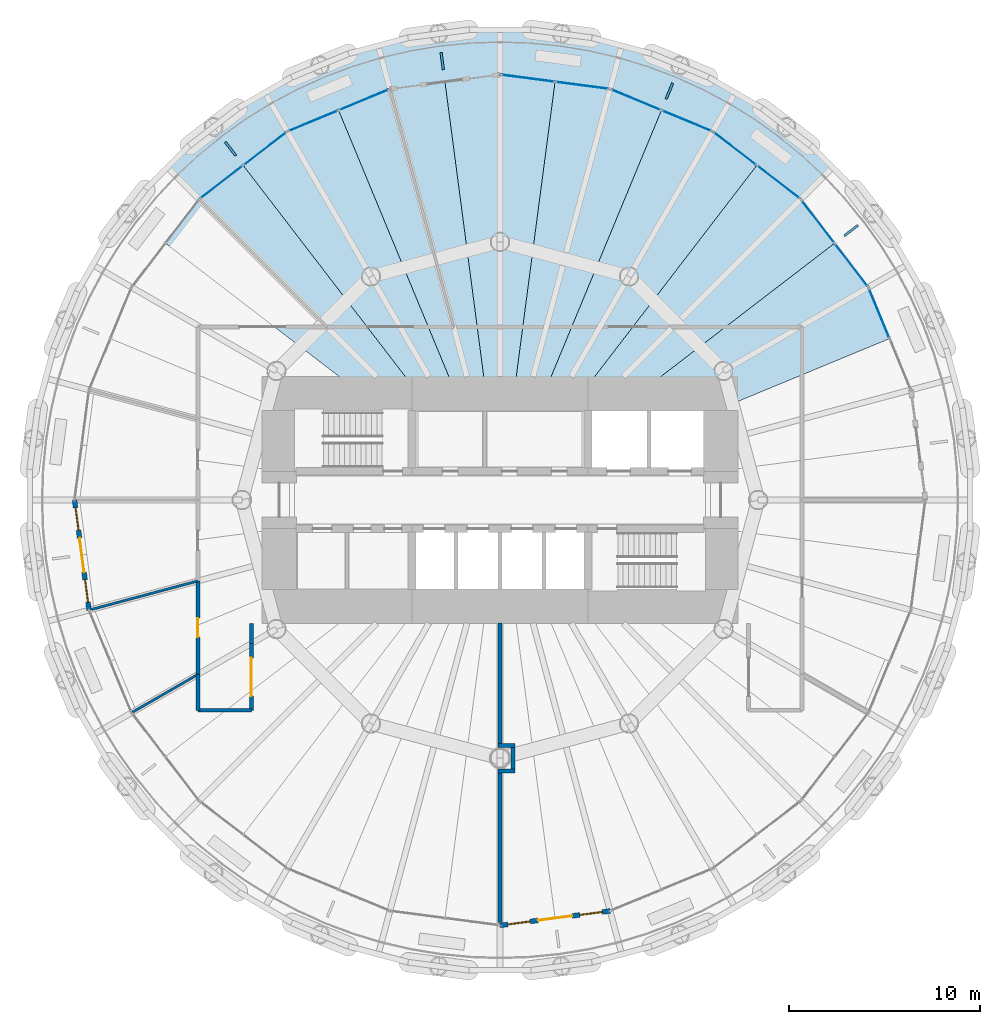
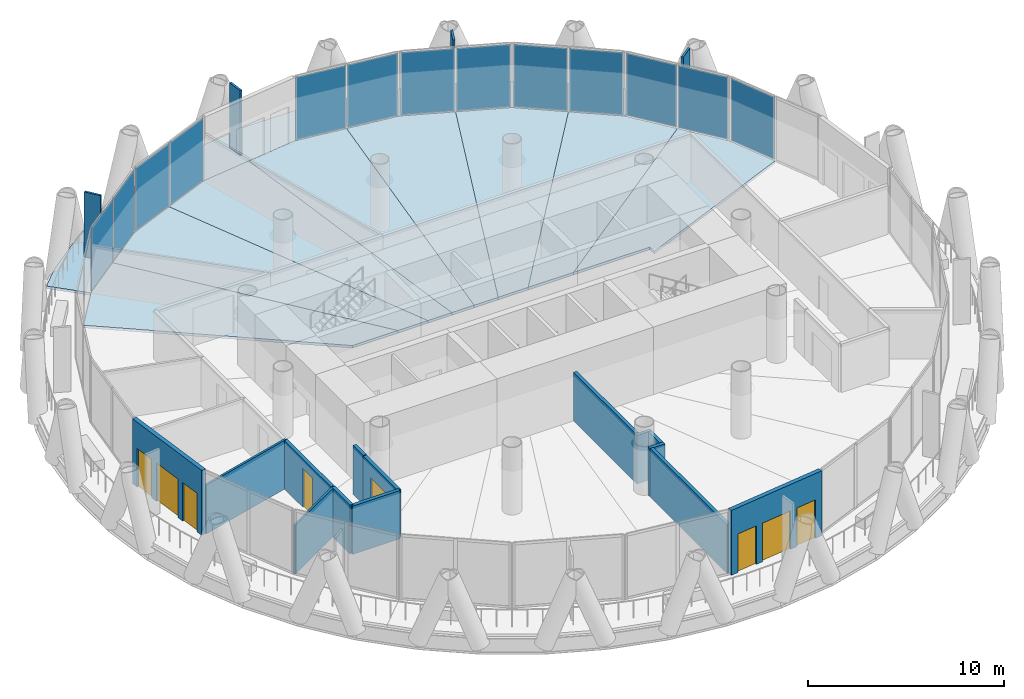
# One storey, part 9 of 15: 17 plates, 14 walls, 9 slabs, 4 doors, 4 windows, 8 openings, 7 elements without a shape of their own.
"""IFC4 building model written with IfcOpenShell, lengths in metres."""

import ifcopenshell
import ifcopenshell.guid

model = None  # the IFC model being written
_history = None  # IfcOwnerHistory: only IFC2X3 demands one
_inside = {}  # id of a spatial element -> (the spatial element, [elements in it])
_under = {}  # id of a project, library or spatial element -> (it, [spatial elements below it])
_declared = {}  # id of a project -> (the project, [libraries it declares])
_typed = {}  # id of a type object -> (the type object, [elements of that type])
_made_of = {}  # id of a material, layer set ... -> (it, [elements and type objects made of it])


def new_model(schema):
    """Start an empty IFC model of exactly this schema.

    Asked for "IFC4X3", IfcOpenShell would pick the latest addendum, in which some entities
    have other attributes; the version numbers below select the first issue.
    IFC2X3 requires an IfcOwnerHistory on every rooted entity: one is made here for all.
    """
    global model, _history
    if schema == "IFC4X3":
        model = ifcopenshell.file(schema_version=(4, 3, 0, 0))
    else:
        model = ifcopenshell.file(schema=schema)
    _inside.clear()
    _under.clear()
    _declared.clear()
    _typed.clear()
    _made_of.clear()
    _history = None
    if model.schema == "IFC2X3":
        org = make("IfcOrganization", Name="unknown")
        user = make(
            "IfcPersonAndOrganization",
            ThePerson=make("IfcPerson", FamilyName="unknown"),
            TheOrganization=org,
        )
        app = make(
            "IfcApplication",
            ApplicationDeveloper=org,
            Version="unknown",
            ApplicationFullName="unknown",
            ApplicationIdentifier="unknown",
        )
        _history = make(
            "IfcOwnerHistory",
            OwningUser=user,
            OwningApplication=app,
            ChangeAction="ADDED",
            CreationDate=0,
        )
    return model


def make(cls, **values):
    """One entity of the class cls with the attributes given. An attribute that is None is left unset."""
    return model.create_entity(
        cls, **{name: value for name, value in values.items() if value is not None}
    )


def rooted(cls, **values):
    """An entity with a GlobalId (a new one), such as an element, a storey or a relation."""
    return make(cls, GlobalId=ifcopenshell.guid.new(), OwnerHistory=_history, **values)


def si_unit(unit_type, name, prefix=None):
    """IfcSIUnit, for example si_unit("LENGTHUNIT", "METRE", prefix="MILLI")."""
    return make("IfcSIUnit", UnitType=unit_type, Prefix=prefix, Name=name)


def assignment(units):
    """IfcUnitAssignment: the units of a project."""
    return None if units is None else make("IfcUnitAssignment", Units=units)


def point(xyz):
    """IfcCartesianPoint."""
    return None if xyz is None else make("IfcCartesianPoint", Coordinates=xyz)


def direction(xyz):
    """IfcDirection."""
    return None if xyz is None else make("IfcDirection", DirectionRatios=xyz)


def frame(location, z_axis=None, x_axis=None):
    """IfcAxis2Placement3D, a coordinate frame: its origin and axes. An axis left out is left unset."""
    return make(
        "IfcAxis2Placement3D",
        Location=point(location),
        Axis=direction(z_axis),
        RefDirection=direction(x_axis),
    )


def frame_2d(location, x_axis=None):
    """IfcAxis2Placement2D, a coordinate frame in the plane: its origin and x axis."""
    return make(
        "IfcAxis2Placement2D", Location=point(location), RefDirection=direction(x_axis)
    )


def origin():
    """The frame at (0, 0, 0) with its axes left unset."""
    return frame((0.0, 0.0, 0.0))


def origin_2d():
    """The frame at (0, 0) in the plane with its x axis left unset."""
    return frame_2d((0.0, 0.0))


def place(relative_to, where):
    """IfcLocalPlacement: puts the frame where relative to a parent placement (None: the world)."""
    return make(
        "IfcLocalPlacement", PlacementRelTo=relative_to, RelativePlacement=where
    )


def context(
    kind, dimensions, precision=None, world=None, true_north=None, identifier=None
):
    """IfcGeometricRepresentationContext, for example the 3D "Model" context."""
    return make(
        "IfcGeometricRepresentationContext",
        ContextIdentifier=identifier,
        ContextType=kind,
        CoordinateSpaceDimension=dimensions,
        Precision=precision,
        WorldCoordinateSystem=world,
        TrueNorth=true_north,
    )


def subcontext(parent, identifier, kind, view, scale=None):
    """IfcGeometricRepresentationSubContext, for example "Body" below "Model"."""
    return make(
        "IfcGeometricRepresentationSubContext",
        ContextIdentifier=identifier,
        ContextType=kind,
        ParentContext=parent,
        TargetScale=scale,
        TargetView=view,
    )


def project(units=None, contexts=None):
    """IfcProject with its units and contexts."""
    return rooted(
        "IfcProject",
        Name="project",
        RepresentationContexts=contexts,
        UnitsInContext=assignment(units),
    )


def spatial(cls, under=None, at=None, **own):
    """A site, building, storey or space (cls), placed at a placement, below another one or the project."""
    s = rooted(cls, ObjectPlacement=at, **own)
    if under is not None:
        _under.setdefault(under.id(), (under, []))[1].append(s)
    return s


def polyline(points):
    """IfcPolyline through the points."""
    return make("IfcPolyline", Points=[point(p) for p in points])


def profile(cls, at=None, kind="AREA", **sizes):
    """A parametric profile (cls). Its sizes go by their IFC names, for example OverallWidth=200.0."""
    return make(cls, ProfileType=kind, Position=at, **sizes)


def rectangle(**sizes):
    """IfcRectangleProfileDef."""
    return profile("IfcRectangleProfileDef", **sizes)


def outline(outer, holes=None, kind="AREA"):
    """IfcArbitraryClosedProfileDef: a profile drawn as a closed curve; with holes, ...WithVoids."""
    if holes is None:
        return make("IfcArbitraryClosedProfileDef", ProfileType=kind, OuterCurve=outer)
    return make(
        "IfcArbitraryProfileDefWithVoids",
        ProfileType=kind,
        OuterCurve=outer,
        InnerCurves=holes,
    )


def extrude(swept, where, along, depth):
    """IfcExtrudedAreaSolid: the profile swept, set in the frame where, extruded along a direction by depth."""
    return make(
        "IfcExtrudedAreaSolid",
        SweptArea=swept,
        Position=where,
        ExtrudedDirection=direction(along),
        Depth=depth,
    )


def shape(context_of_items, identifier, shape_type, items):
    """IfcShapeRepresentation: the items that make up one representation, for example the "Body"."""
    return make(
        "IfcShapeRepresentation",
        ContextOfItems=context_of_items,
        RepresentationIdentifier=identifier,
        RepresentationType=shape_type,
        Items=items,
    )


def material(Name=None, Category=None):
    """IfcMaterial."""
    return make("IfcMaterial", Name=Name, Category=Category)


def layer(
    of_material, thickness, ventilated=None, Name=None, Category=None, Priority=None
):
    """IfcMaterialLayer: one layer of a wall or slab, of a material (None: an air gap)."""
    return make(
        "IfcMaterialLayer",
        Material=of_material,
        LayerThickness=thickness,
        IsVentilated=ventilated,
        Name=Name,
        Category=Category,
        Priority=Priority,
    )


def layer_set(layers, Name=None):
    """IfcMaterialLayerSet."""
    return make("IfcMaterialLayerSet", MaterialLayers=layers, LayerSetName=Name)


def made_of(thing, what):
    """Note that an element or type object is made of a material, layer set ...; save() writes the relation."""
    if what is not None:
        _made_of.setdefault(what.id(), (what, []))[1].append(thing)
    return thing


def type_object(cls, material=None, **own):
    """A type object (cls), such as IfcWallType, which elements share."""
    return made_of(rooted(cls, **own), material)


def element(
    cls,
    number,
    at=None,
    inside=None,
    cuts=None,
    type_object=None,
    material=None,
    context=None,
    identifier="Body",
    shape_type=None,
    held_by="IfcProductDefinitionShape",
    body=None,
    shapes=None,
    **own,
):
    """One element of the class cls, such as IfcWall. Its Tag is "e" and its number.

    at: its placement. inside: the storey or other place that contains it. cuts: it is an
    opening in that element (IfcRelVoidsElement). A single representation is given by context,
    identifier, shape_type and body (its items); several are given by shapes. held_by: the class
    of the entity that holds the representations. save() writes the other relations.
    """
    e = rooted(cls, Tag="e%d" % number, ObjectPlacement=at, **own)
    if body is not None:
        shapes = [shape(context, identifier, shape_type, body)]
    if shapes is not None:
        e.Representation = make(held_by, Representations=shapes)
    if inside is not None:
        _inside.setdefault(inside.id(), (inside, []))[1].append(e)
    if cuts is not None:
        rooted(
            "IfcRelVoidsElement", RelatingBuildingElement=cuts, RelatedOpeningElement=e
        )
    if type_object is not None:
        _typed.setdefault(type_object.id(), (type_object, []))[1].append(e)
    return made_of(e, material)


def fill(opening, filler):
    """IfcRelFillsElement: the door or window that sits in an opening."""
    return rooted(
        "IfcRelFillsElement",
        RelatingOpeningElement=opening,
        RelatedBuildingElement=filler,
    )


def aggregate(whole, parts):
    """IfcRelAggregates: a whole, such as a stair, and the parts it consists of."""
    return rooted("IfcRelAggregates", RelatingObject=whole, RelatedObjects=parts)


def save(model, path):
    """Write the relations noted so far, then the file.

    IfcRelAggregates (storeys below a building ...), IfcRelContainedInSpatialStructure (elements
    in a storey), IfcRelDefinesByType, IfcRelAssociatesMaterial and IfcRelDeclares: one each for
    every whole, place, type object, material and project.
    """
    for whole, parts in _under.values():
        aggregate(whole, parts)
    for where, things in _inside.values():
        rooted(
            "IfcRelContainedInSpatialStructure",
            RelatedElements=things,
            RelatingStructure=where,
        )
    for kind, things in _typed.values():
        rooted("IfcRelDefinesByType", RelatedObjects=things, RelatingType=kind)
    for what, things in _made_of.values():
        rooted("IfcRelAssociatesMaterial", RelatedObjects=things, RelatingMaterial=what)
    for by, libraries in _declared.values():
        rooted("IfcRelDeclares", RelatingContext=by, RelatedDefinitions=libraries)
    model.write(path)


model = new_model("IFC4")

# Units and contexts
model_context = context("Model", 3, precision=1e-05, world=origin(), true_north=direction((0.0, 1.0)))
body_context = subcontext(model_context, "Body", "Model", "MODEL_VIEW")
ifc_project = project(units=[si_unit("LENGTHUNIT", "METRE"), si_unit("AREAUNIT", "SQUARE_METRE"), si_unit("VOLUMEUNIT", "CUBIC_METRE"), si_unit("PLANEANGLEUNIT", "RADIAN"), si_unit("MASSUNIT", "GRAM", prefix="KILO")], contexts=[model_context])

# Site, building, storey
site_placement = place(None, origin())
site = spatial("IfcSite", under=ifc_project, at=site_placement, CompositionType="ELEMENT")
building_placement = place(site_placement, origin())
building = spatial("IfcBuilding", under=site, at=building_placement, Name="Qaws Media Tower", CompositionType="ELEMENT")
storey_placement = place(building_placement, frame((0.0, 0.0, 164.60009765625)))
storey = spatial("IfcBuildingStorey", under=building, at=storey_placement, Name="L37", CompositionType="ELEMENT", Elevation=164.60009765625)

# Slabs
ifc_material_1 = material(Name="Concrete C35/45", Category="concrete")
ifc_layer_1 = layer(ifc_material_1, 0.159912109375)
ifc_layer_set_1 = layer_set([ifc_layer_1], Name="Composite balcony slab 160")
slab_type_1 = type_object("IfcSlabType", Name="Composite balcony slab 160", PredefinedType="FLOOR", material=ifc_layer_set_1)
slab_1_placement = place(storey_placement, frame((0.0, 0.0, -0.16015625)))
element("IfcSlab", 1, at=slab_1_placement, inside=storey, type_object=slab_type_1, Name="S2 balcony slab L37 R04 to R10, movement joints on R04 and R10", PredefinedType="FLOOR", context=body_context, shape_type="SweptSolid", body=[
    extrude(outline(polyline([(43.7470703125, 68.532958984375), (46.30517578125, 70.49560546875), (49.09765625, 72.10791015625), (52.076416015625, 73.341796875), (55.19091796875, 74.176513671875), (58.3876953125, 74.59716796875), (61.6123046875, 74.59716796875), (64.80908203125, 74.176513671875), (67.923583984375, 73.341796875), (70.90234375, 72.10791015625), (73.69482421875, 70.49560546875), (76.2529296875, 68.532958984375), (77.392822265625, 67.392822265625), (75.733154296875, 65.733154296875), (71.125, 69.26904296875), (65.7587890625, 71.49169921875), (60.0, 72.25), (54.2412109375, 71.49169921875), (48.875, 69.26904296875), (44.266845703125, 65.733154296875), (42.607177734375, 67.392822265625), (43.7470703125, 68.532958984375)])), origin(), (0.0, 0.0, 1.0), 0.16015625),
])
ifc_material_2 = material(Name="Concrete C35/45", Category="concrete")
ifc_layer_2 = layer(ifc_material_2, 0.159912109375)
ifc_layer_set_2 = layer_set([ifc_layer_2], Name="Composite floor slab 160")
slab_type_2 = type_object("IfcSlabType", Name="Composite floor slab 160", PredefinedType="FLOOR", material=ifc_layer_set_2)
slab_2_placement = place(storey_placement, frame((0.0, 0.0, -0.16015625)))
element("IfcSlab", 2, at=slab_2_placement, inside=storey, type_object=slab_type_2, Name="S1 floor panel L37 on R03", PredefinedType="FLOOR", context=body_context, shape_type="SweptSolid", body=[
    extrude(outline(polyline([(79.26904296875, 61.125), (80.380615234375, 58.44189453125), (71.0, 54.556396484375), (71.0, 55.0), (66.51611328125, 55.0), (77.501220703125, 63.42919921875), (79.26904296875, 61.125)])), origin(), (0.0, 0.0, 1.0), 0.16015625),
])
slab_3_placement = place(storey_placement, frame((0.0, 0.0, -0.16015625)))
element("IfcSlab", 3, at=slab_3_placement, inside=storey, type_object=slab_type_2, Name="S1 floor panel L37 on R04", PredefinedType="FLOOR", context=body_context, shape_type="SweptSolid", body=[
    extrude(outline(polyline([(75.733154296875, 65.733154296875), (77.501220703125, 63.42919921875), (66.51611328125, 55.0), (63.836669921875, 55.0), (73.42919921875, 67.501220703125), (75.733154296875, 65.733154296875)])), origin(), (0.0, 0.0, 1.0), 0.16015625),
])
slab_4_placement = place(storey_placement, frame((0.0, 0.0, -0.16015625)))
element("IfcSlab", 4, at=slab_4_placement, inside=storey, type_object=slab_type_2, Name="S1 floor panel L37 on R05", PredefinedType="FLOOR", context=body_context, shape_type="SweptSolid", body=[
    extrude(outline(polyline([(71.125, 69.26904296875), (73.42919921875, 67.501220703125), (63.836669921875, 55.0), (62.071044921875, 55.0), (68.44189453125, 70.380615234375), (71.125, 69.26904296875)])), origin(), (0.0, 0.0, 1.0), 0.16015625),
])
slab_5_placement = place(storey_placement, frame((0.0, 0.0, -0.16015625)))
element("IfcSlab", 5, at=slab_5_placement, inside=storey, type_object=slab_type_2, Name="S1 floor panel L37 on R06", PredefinedType="FLOOR", context=body_context, shape_type="SweptSolid", body=[
    extrude(outline(polyline([(65.7587890625, 71.49169921875), (68.44189453125, 70.380615234375), (62.071044921875, 55.0), (60.658203125, 55.0), (62.87939453125, 71.870849609375), (65.7587890625, 71.49169921875)])), origin(), (0.0, 0.0, 1.0), 0.16015625),
])
slab_6_placement = place(storey_placement, frame((0.0, 0.0, -0.16015625)))
element("IfcSlab", 6, at=slab_6_placement, inside=storey, type_object=slab_type_2, Name="S1 floor panel L37 on R07", PredefinedType="FLOOR", context=body_context, shape_type="SweptSolid", body=[
    extrude(outline(polyline([(60.0, 72.25), (62.87939453125, 71.870849609375), (60.658203125, 55.0), (59.341796875, 55.0), (57.12060546875, 71.870849609375), (60.0, 72.25)])), origin(), (0.0, 0.0, 1.0), 0.16015625),
])
slab_7_placement = place(storey_placement, frame((0.0, 0.0, -0.16015625)))
element("IfcSlab", 7, at=slab_7_placement, inside=storey, type_object=slab_type_2, Name="S1 floor panel L37 on R08", PredefinedType="FLOOR", context=body_context, shape_type="SweptSolid", body=[
    extrude(outline(polyline([(54.2412109375, 71.49169921875), (57.12060546875, 71.870849609375), (59.341796875, 55.0), (57.928955078125, 55.0), (51.55810546875, 70.380615234375), (54.2412109375, 71.49169921875)])), origin(), (0.0, 0.0, 1.0), 0.16015625),
])
slab_8_placement = place(storey_placement, frame((0.0, 0.0, -0.16015625)))
element("IfcSlab", 8, at=slab_8_placement, inside=storey, type_object=slab_type_2, Name="S1 floor panel L37 on R09", PredefinedType="FLOOR", context=body_context, shape_type="SweptSolid", body=[
    extrude(outline(polyline([(48.875, 69.26904296875), (51.55810546875, 70.380615234375), (57.928955078125, 55.0), (56.163330078125, 55.0), (46.57080078125, 67.501220703125), (48.875, 69.26904296875)])), origin(), (0.0, 0.0, 1.0), 0.16015625),
])
slab_9_placement = place(storey_placement, frame((0.0, 0.0, -0.16015625)))
element("IfcSlab", 9, at=slab_9_placement, inside=storey, type_object=slab_type_2, Name="S1 floor panel L37 on R10", PredefinedType="FLOOR", context=body_context, shape_type="SweptSolid", body=[
    extrude(outline(polyline([(44.266845703125, 65.733154296875), (46.57080078125, 67.501220703125), (56.163330078125, 55.0), (53.48388671875, 55.0), (42.498779296875, 63.42919921875), (44.266845703125, 65.733154296875)])), origin(), (0.0, 0.0, 1.0), 0.16015625),
])

# Curtain wall, plate
ifc_material_3 = material(Name="Aluminium and clear glass", Category="aluminium")
curtain_wall_type = type_object("IfcCurtainWallType", Name="Unitised curtain wall CW-B", PredefinedType="NOTDEFINED", material=ifc_material_3)
curtain_wall_1_placement = place(storey_placement, origin())
curtain_wall_1 = element("IfcCurtainWall", 10, at=curtain_wall_1_placement, inside=storey, type_object=curtain_wall_type, Name="CWB curtain wall L37-02", PredefinedType="NOTDEFINED")
ifc_material_4 = material(Name="Clear laminated double glazing", Category="glass")
ifc_layer_3 = layer(ifc_material_4, 0.031982421875)
ifc_layer_set_3 = layer_set([ifc_layer_3], Name="Curtain wall glass unit 32")
plate_type_1 = type_object("IfcPlateType", Name="Curtain wall glass unit 32", PredefinedType="CURTAIN_PANEL", material=ifc_layer_set_3)
plate_1_placement = place(storey_placement, frame((79.83251953125, 59.764892578125, 0.080078125), z_axis=(0.0, 0.0, 1.0), x_axis=(-0.382683535434, 0.923879489819, 0.0)))
plate_1 = element("IfcPlate", 11, at=plate_1_placement, type_object=plate_type_1, Name="CWB panel 2.1", PredefinedType="CURTAIN_PANEL", context=body_context, shape_type="SweptSolid", body=[
    extrude(rectangle(XDim=2.7841796875, YDim=0.031982421875, at=origin_2d()), origin(), (0.0, 0.0, 1.0), 3.8798828125),
])
aggregate(curtain_wall_1, [plate_1])

# Curtain wall, plates
curtain_wall_2_placement = place(storey_placement, origin())
curtain_wall_2 = element("IfcCurtainWall", 12, at=curtain_wall_2_placement, inside=storey, type_object=curtain_wall_type, Name="CWB curtain wall L37-03", PredefinedType="NOTDEFINED")
plate_2_placement = place(storey_placement, frame((78.372802734375, 62.29296875, 0.080078125), z_axis=(0.0, 0.0, 1.0), x_axis=(-0.608761380919, 0.793353377191, 0.0)))
plate_2 = element("IfcPlate", 13, at=plate_2_placement, type_object=plate_type_1, Name="CWB panel 1.1", PredefinedType="CURTAIN_PANEL", context=body_context, shape_type="SweptSolid", body=[
    extrude(rectangle(XDim=2.7841796875, YDim=0.031982421875, at=origin_2d()), origin(), (0.0, 0.0, 1.0), 3.8798828125),
])
plate_3_placement = place(storey_placement, frame((76.62939453125, 64.565185546875, 0.080078125), z_axis=(0.0, 0.0, 1.0), x_axis=(-0.608761380919, 0.793353377191, 0.0)))
plate_3 = element("IfcPlate", 14, at=plate_3_placement, type_object=plate_type_1, Name="CWB panel 2.1", PredefinedType="CURTAIN_PANEL", context=body_context, shape_type="SweptSolid", body=[
    extrude(rectangle(XDim=2.7841796875, YDim=0.031982421875, at=origin_2d()), origin(), (0.0, 0.0, 1.0), 3.8798828125),
])
aggregate(curtain_wall_2, [plate_2, plate_3])

curtain_wall_3_placement = place(storey_placement, origin())
curtain_wall_3 = element("IfcCurtainWall", 15, at=curtain_wall_3_placement, inside=storey, type_object=curtain_wall_type, Name="CWB curtain wall L37-04", PredefinedType="NOTDEFINED")
plate_4_placement = place(storey_placement, frame((74.565185546875, 66.62939453125, 0.080078125), z_axis=(0.0, 0.0, 1.0), x_axis=(-0.793353377191, 0.608761380919, 0.0)))
plate_4 = element("IfcPlate", 16, at=plate_4_placement, type_object=plate_type_1, Name="CWB panel 1.1", PredefinedType="CURTAIN_PANEL", context=body_context, shape_type="SweptSolid", body=[
    extrude(rectangle(XDim=2.7841796875, YDim=0.031982421875, at=origin_2d()), origin(), (0.0, 0.0, 1.0), 3.8798828125),
])
plate_5_placement = place(storey_placement, frame((72.29296875, 68.372802734375, 0.080078125), z_axis=(0.0, 0.0, 1.0), x_axis=(-0.793353377191, 0.608761380919, 0.0)))
plate_5 = element("IfcPlate", 17, at=plate_5_placement, type_object=plate_type_1, Name="CWB panel 2.1", PredefinedType="CURTAIN_PANEL", context=body_context, shape_type="SweptSolid", body=[
    extrude(rectangle(XDim=2.7841796875, YDim=0.031982421875, at=origin_2d()), origin(), (0.0, 0.0, 1.0), 3.8798828125),
])
aggregate(curtain_wall_3, [plate_4, plate_5])

curtain_wall_4_placement = place(storey_placement, origin())
curtain_wall_4 = element("IfcCurtainWall", 18, at=curtain_wall_4_placement, inside=storey, type_object=curtain_wall_type, Name="CWB curtain wall L37-05", PredefinedType="NOTDEFINED")
plate_6_placement = place(storey_placement, frame((69.764892578125, 69.83251953125, 0.080078125), z_axis=(0.0, 0.0, 1.0), x_axis=(-0.923879489819, 0.382683535434, 0.0)))
plate_6 = element("IfcPlate", 19, at=plate_6_placement, type_object=plate_type_1, Name="CWB panel 1.1", PredefinedType="CURTAIN_PANEL", context=body_context, shape_type="SweptSolid", body=[
    extrude(rectangle(XDim=2.7841796875, YDim=0.031982421875, at=origin_2d()), origin(), (0.0, 0.0, 1.0), 3.8798828125),
])
plate_7_placement = place(storey_placement, frame((67.11865234375, 70.928466796875, 0.080078125), z_axis=(0.0, 0.0, 1.0), x_axis=(-0.923879489819, 0.382683535434, 0.0)))
plate_7 = element("IfcPlate", 20, at=plate_7_placement, type_object=plate_type_1, Name="CWB panel 2.1", PredefinedType="CURTAIN_PANEL", context=body_context, shape_type="SweptSolid", body=[
    extrude(rectangle(XDim=2.7841796875, YDim=0.031982421875, at=origin_2d()), origin(), (0.0, 0.0, 1.0), 3.8798828125),
])
aggregate(curtain_wall_4, [plate_6, plate_7])

curtain_wall_5_placement = place(storey_placement, origin())
curtain_wall_5 = element("IfcCurtainWall", 21, at=curtain_wall_5_placement, inside=storey, type_object=curtain_wall_type, Name="CWB curtain wall L37-06", PredefinedType="NOTDEFINED")
plate_8_placement = place(storey_placement, frame((64.29931640625, 71.68408203125, 0.080078125), z_axis=(0.0, 0.0, 1.0), x_axis=(-0.991444870231, 0.130526124942, 0.0)))
plate_8 = element("IfcPlate", 22, at=plate_8_placement, type_object=plate_type_1, Name="CWB panel 1.1", PredefinedType="CURTAIN_PANEL", context=body_context, shape_type="SweptSolid", body=[
    extrude(rectangle(XDim=2.7841796875, YDim=0.031982421875, at=origin_2d()), origin(), (0.0, 0.0, 1.0), 3.8798828125),
])
plate_9_placement = place(storey_placement, frame((61.45947265625, 72.057861328125, 0.080078125), z_axis=(0.0, 0.0, 1.0), x_axis=(-0.991444870231, 0.130526124942, 0.0)))
plate_9 = element("IfcPlate", 23, at=plate_9_placement, type_object=plate_type_1, Name="CWB panel 2.1", PredefinedType="CURTAIN_PANEL", context=body_context, shape_type="SweptSolid", body=[
    extrude(rectangle(XDim=2.7841796875, YDim=0.031982421875, at=origin_2d()), origin(), (0.0, 0.0, 1.0), 3.8798828125),
])
aggregate(curtain_wall_5, [plate_8, plate_9])

curtain_wall_6_placement = place(storey_placement, origin())
curtain_wall_6 = element("IfcCurtainWall", 24, at=curtain_wall_6_placement, inside=storey, type_object=curtain_wall_type, Name="CWB curtain wall L37-08", PredefinedType="NOTDEFINED")
plate_10_placement = place(storey_placement, frame((52.88134765625, 70.928466796875, 0.080078125), z_axis=(0.0, 0.0, 1.0), x_axis=(-0.923879489819, -0.382683535434, 0.0)))
plate_10 = element("IfcPlate", 25, at=plate_10_placement, type_object=plate_type_1, Name="CWB panel 1.1", PredefinedType="CURTAIN_PANEL", context=body_context, shape_type="SweptSolid", body=[
    extrude(rectangle(XDim=2.7841796875, YDim=0.031982421875, at=origin_2d()), origin(), (0.0, 0.0, 1.0), 3.8798828125),
])
plate_11_placement = place(storey_placement, frame((50.235107421875, 69.83251953125, 0.080078125), z_axis=(0.0, 0.0, 1.0), x_axis=(-0.923879489819, -0.382683535434, 0.0)))
plate_11 = element("IfcPlate", 26, at=plate_11_placement, type_object=plate_type_1, Name="CWB panel 2.1", PredefinedType="CURTAIN_PANEL", context=body_context, shape_type="SweptSolid", body=[
    extrude(rectangle(XDim=2.7841796875, YDim=0.031982421875, at=origin_2d()), origin(), (0.0, 0.0, 1.0), 3.8798828125),
])
aggregate(curtain_wall_6, [plate_10, plate_11])

curtain_wall_7_placement = place(storey_placement, origin())
curtain_wall_7 = element("IfcCurtainWall", 27, at=curtain_wall_7_placement, inside=storey, type_object=curtain_wall_type, Name="CWB curtain wall L37-09", PredefinedType="NOTDEFINED")
plate_12_placement = place(storey_placement, frame((47.70703125, 68.372802734375, 0.080078125), z_axis=(0.0, 0.0, 1.0), x_axis=(-0.793353377191, -0.608761380919, 0.0)))
plate_12 = element("IfcPlate", 28, at=plate_12_placement, type_object=plate_type_1, Name="CWB panel 1.1", PredefinedType="CURTAIN_PANEL", context=body_context, shape_type="SweptSolid", body=[
    extrude(rectangle(XDim=2.7841796875, YDim=0.031982421875, at=origin_2d()), origin(), (0.0, 0.0, 1.0), 3.8798828125),
])
plate_13_placement = place(storey_placement, frame((45.434814453125, 66.62939453125, 0.080078125), z_axis=(0.0, 0.0, 1.0), x_axis=(-0.793353377191, -0.608761380919, 0.0)))
plate_13 = element("IfcPlate", 29, at=plate_13_placement, type_object=plate_type_1, Name="CWB panel 2.1", PredefinedType="CURTAIN_PANEL", context=body_context, shape_type="SweptSolid", body=[
    extrude(rectangle(XDim=2.7841796875, YDim=0.031982421875, at=origin_2d()), origin(), (0.0, 0.0, 1.0), 3.8798828125),
])
aggregate(curtain_wall_7, [plate_12, plate_13])

# Plates
ifc_material_5 = material(Name="Precast concrete screen fin", Category="concrete")
ifc_layer_4 = layer(ifc_material_5, 0.1201171875)
ifc_layer_set_4 = layer_set([ifc_layer_4], Name="Screen fin 120x900")
plate_type_2 = type_object("IfcPlateType", Name="Screen fin 120x900", PredefinedType="USERDEFINED", material=ifc_layer_set_4)
for number, where, z_axis, x_axis, name in (
    (30, (78.3662109375, 64.0927734375, 0.0), (0.0, 0.0, 1.0), (0.793353340291, 0.608761429009, 0.0), "SCR1 screen fin L37-02"),
    (31, (68.859130859375, 71.3876953125, 0.0), (0.0, 0.0, 1.0), (0.382683432365, 0.923879532511, 0.0), "SCR1 screen fin L37-03"),
    (32, (56.978271484375, 72.951904296875, 0.0), (0.0, 0.0, 1.0), (-0.13052619222, 0.991444861374, 0.0), "SCR1 screen fin L37-04"),
    (33, (45.9072265625, 68.3662109375, 0.0), (0.0, 0.0, 1.0), (-0.608761429009, 0.793353340291, 0.0), "SCR1 screen fin L37-05"),
):
    element("IfcPlate", number, at=place(storey_placement, frame(where, z_axis=z_axis, x_axis=x_axis)), inside=storey, type_object=plate_type_2, Name=name, ObjectType="SCREEN", PredefinedType="USERDEFINED", context=body_context, shape_type="SweptSolid", body=[
        extrude(rectangle(XDim=0.89990234375, YDim=0.1201171875, at=origin_2d()), origin(), (0.0, 0.0, 1.0), 4.0400390625),
    ])

# Wall, openings, door, windows
ifc_material_6 = material(Name="Precast concrete, exposed finish", Category="concrete")
ifc_layer_5 = layer(ifc_material_6, 0.25)
ifc_layer_set_5 = layer_set([ifc_layer_5], Name="Balcony door wall 250")
wall_type_1 = type_object("IfcWallType", Name="Balcony door wall 250", PredefinedType="SOLIDWALL", material=ifc_layer_set_5)
wall_1_placement = place(storey_placement, frame((37.75, 50.0, 0.0), z_axis=(0.0, 0.0, 1.0), x_axis=(0.130508876231, -0.991447140913, 0.0)))
wall_1 = element("IfcWall", 34, at=wall_1_placement, inside=storey, type_object=wall_type_1, Name="W206 EW1 balcony door wall L37-13", PredefinedType="SOLIDWALL", context=body_context, shape_type="SweptSolid", body=[
    extrude(rectangle(XDim=5.808349609375, YDim=0.25, at=frame_2d((2.904296875, 0.0))), origin(), (0.0, 0.0, 1.0), 4.039794921875),
])
opening_1_placement = place(wall_1_placement, frame((2.004150390625, 0.0, 0.0)))
opening_1 = element("IfcOpeningElement", 35, at=opening_1_placement, cuts=wall_1, Name="Opening D7", PredefinedType="OPENING", context=body_context, shape_type="SweptSolid", body=[
    extrude(rectangle(XDim=1.800048828125, YDim=2.39990234375, at=frame_2d((0.89990234375, 1.199951171875))), frame((0.0, 0.135009765625, 0.0), z_axis=(0.0, -1.0, 0.0), x_axis=(1.0, 0.0, 0.0)), (0.0, 0.0, 1.0), 0.27001953125),
])
opening_2_placement = place(wall_1_placement, frame((0.404296875, 0.0, 0.0)))
opening_2 = element("IfcOpeningElement", 36, at=opening_2_placement, cuts=wall_1, Name="Opening W1", PredefinedType="OPENING", context=body_context, shape_type="SweptSolid", body=[
    extrude(rectangle(XDim=1.199951171875, YDim=2.39990234375, at=frame_2d((0.60009765625, 1.199951171875))), frame((0.0, 0.135009765625, 0.0), z_axis=(0.0, -1.0, 0.0), x_axis=(1.0, 0.0, 0.0)), (0.0, 0.0, 1.0), 0.27001953125),
])
opening_3_placement = place(wall_1_placement, frame((4.2041015625, 0.0, 0.0)))
opening_3 = element("IfcOpeningElement", 37, at=opening_3_placement, cuts=wall_1, Name="Opening W1", PredefinedType="OPENING", context=body_context, shape_type="SweptSolid", body=[
    extrude(rectangle(XDim=1.199951171875, YDim=2.39990234375, at=frame_2d((0.60009765625, 1.199951171875))), frame((0.0, 0.135009765625, 0.0), z_axis=(0.0, -1.0, 0.0), x_axis=(1.0, 0.0, 0.0)), (0.0, 0.0, 1.0), 0.27001953125),
])
ifc_material_7 = material(Name="Aluminium and clear glass", Category="aluminium")
door_type_1 = type_object("IfcDoorType", Name="Balcony door pair 1800", OperationType="DOUBLE_DOOR_SLIDING", PredefinedType="DOOR", material=ifc_material_7)
door_1_placement = place(opening_1_placement, origin())
door_1 = element("IfcDoor", 38, at=door_1_placement, inside=storey, type_object=door_type_1, Name="D7 balcony door L37-13 in wall W206", OperationType="DOUBLE_DOOR_SLIDING", OverallHeight=2.39990234375, OverallWidth=1.800048828125, PredefinedType="DOOR", context=body_context, shape_type="SweptSolid", body=[
    extrude(rectangle(XDim=1.800048828125, YDim=2.39990234375, at=frame_2d((0.89990234375, 1.199951171875))), frame((0.0, 0.02490234375, 0.0), z_axis=(0.0, -1.0, 0.0), x_axis=(1.0, 0.0, 0.0)), (0.0, 0.0, 1.0), 0.050048828125),
])
fill(opening_1, door_1)
ifc_material_8 = material(Name="Aluminium and clear glass", Category="aluminium")
window_type = type_object("IfcWindowType", Name="Balcony side window 1200", PartitioningType="SINGLE_PANEL", PredefinedType="WINDOW", material=ifc_material_8)
window_1_placement = place(opening_2_placement, origin())
window_1 = element("IfcWindow", 39, at=window_1_placement, inside=storey, type_object=window_type, Name="W1 balcony side light L37-13L", OverallHeight=2.39990234375, OverallWidth=1.199951171875, PartitioningType="SINGLE_PANEL", PredefinedType="WINDOW", context=body_context, shape_type="SweptSolid", body=[
    extrude(rectangle(XDim=1.199951171875, YDim=2.39990234375, at=frame_2d((0.60009765625, 1.199951171875))), frame((0.0, 0.030029296875, 0.0), z_axis=(0.0, -1.0, 0.0), x_axis=(1.0, 0.0, 0.0)), (0.0, 0.0, 1.0), 0.06005859375),
])
fill(opening_2, window_1)
window_2_placement = place(opening_3_placement, origin())
window_2 = element("IfcWindow", 40, at=window_2_placement, inside=storey, type_object=window_type, Name="W1 balcony side light L37-13R", OverallHeight=2.39990234375, OverallWidth=1.199951171875, PartitioningType="SINGLE_PANEL", PredefinedType="WINDOW", context=body_context, shape_type="SweptSolid", body=[
    extrude(rectangle(XDim=1.199951171875, YDim=2.39990234375, at=frame_2d((0.60009765625, 1.199951171875))), frame((0.0, 0.030029296875, 0.0), z_axis=(0.0, -1.0, 0.0), x_axis=(1.0, 0.0, 0.0)), (0.0, 0.0, 1.0), 0.06005859375),
])
fill(opening_3, window_2)

wall_2_placement = place(storey_placement, frame((60.0, 27.75, 0.0), z_axis=(0.0, 0.0, 1.0), x_axis=(0.991447140913, 0.130508876231, 0.0)))
wall_2 = element("IfcWall", 41, at=wall_2_placement, inside=storey, type_object=wall_type_1, Name="W207 EW1 balcony door wall L37-19", PredefinedType="SOLIDWALL", context=body_context, shape_type="SweptSolid", body=[
    extrude(rectangle(XDim=5.808349609375, YDim=0.25, at=frame_2d((2.904296875, 0.0))), origin(), (0.0, 0.0, 1.0), 4.039794921875),
])
opening_4_placement = place(wall_2_placement, frame((2.004150390625, 0.0, 0.0)))
opening_4 = element("IfcOpeningElement", 42, at=opening_4_placement, cuts=wall_2, Name="Opening D7", PredefinedType="OPENING", context=body_context, shape_type="SweptSolid", body=[
    extrude(rectangle(XDim=1.800048828125, YDim=2.39990234375, at=frame_2d((0.89990234375, 1.199951171875))), frame((0.0, 0.135009765625, 0.0), z_axis=(0.0, -1.0, 0.0), x_axis=(1.0, 0.0, 0.0)), (0.0, 0.0, 1.0), 0.27001953125),
])
opening_5_placement = place(wall_2_placement, frame((0.404296875, 0.0, 0.0)))
opening_5 = element("IfcOpeningElement", 43, at=opening_5_placement, cuts=wall_2, Name="Opening W1", PredefinedType="OPENING", context=body_context, shape_type="SweptSolid", body=[
    extrude(rectangle(XDim=1.199951171875, YDim=2.39990234375, at=frame_2d((0.60009765625, 1.199951171875))), frame((0.0, 0.135009765625, 0.0), z_axis=(0.0, -1.0, 0.0), x_axis=(1.0, 0.0, 0.0)), (0.0, 0.0, 1.0), 0.27001953125),
])
opening_6_placement = place(wall_2_placement, frame((4.2041015625, 0.0, 0.0)))
opening_6 = element("IfcOpeningElement", 44, at=opening_6_placement, cuts=wall_2, Name="Opening W1", PredefinedType="OPENING", context=body_context, shape_type="SweptSolid", body=[
    extrude(rectangle(XDim=1.199951171875, YDim=2.39990234375, at=frame_2d((0.60009765625, 1.199951171875))), frame((0.0, 0.135009765625, 0.0), z_axis=(0.0, -1.0, 0.0), x_axis=(1.0, 0.0, 0.0)), (0.0, 0.0, 1.0), 0.27001953125),
])
door_2_placement = place(opening_4_placement, origin())
door_2 = element("IfcDoor", 45, at=door_2_placement, inside=storey, type_object=door_type_1, Name="D7 balcony door L37-19 in wall W207", OperationType="DOUBLE_DOOR_SLIDING", OverallHeight=2.39990234375, OverallWidth=1.800048828125, PredefinedType="DOOR", context=body_context, shape_type="SweptSolid", body=[
    extrude(rectangle(XDim=1.800048828125, YDim=2.39990234375, at=frame_2d((0.89990234375, 1.199951171875))), frame((0.0, 0.02490234375, 0.0), z_axis=(0.0, -1.0, 0.0), x_axis=(1.0, 0.0, 0.0)), (0.0, 0.0, 1.0), 0.050048828125),
])
fill(opening_4, door_2)
window_3_placement = place(opening_5_placement, origin())
window_3 = element("IfcWindow", 46, at=window_3_placement, inside=storey, type_object=window_type, Name="W1 balcony side light L37-19L", OverallHeight=2.39990234375, OverallWidth=1.199951171875, PartitioningType="SINGLE_PANEL", PredefinedType="WINDOW", context=body_context, shape_type="SweptSolid", body=[
    extrude(rectangle(XDim=1.199951171875, YDim=2.39990234375, at=frame_2d((0.60009765625, 1.199951171875))), frame((0.0, 0.030029296875, 0.0), z_axis=(0.0, -1.0, 0.0), x_axis=(1.0, 0.0, 0.0)), (0.0, 0.0, 1.0), 0.06005859375),
])
fill(opening_5, window_3)
window_4_placement = place(opening_6_placement, origin())
window_4 = element("IfcWindow", 47, at=window_4_placement, inside=storey, type_object=window_type, Name="W1 balcony side light L37-19R", OverallHeight=2.39990234375, OverallWidth=1.199951171875, PartitioningType="SINGLE_PANEL", PredefinedType="WINDOW", context=body_context, shape_type="SweptSolid", body=[
    extrude(rectangle(XDim=1.199951171875, YDim=2.39990234375, at=frame_2d((0.60009765625, 1.199951171875))), frame((0.0, 0.030029296875, 0.0), z_axis=(0.0, -1.0, 0.0), x_axis=(1.0, 0.0, 0.0)), (0.0, 0.0, 1.0), 0.06005859375),
])
fill(opening_6, window_4)

# Walls
ifc_material_9 = material(Name="Two layers gypsum board each side on 75 studs, insulated", Category="gypsum")
ifc_layer_6 = layer(ifc_material_9, 0.125)
ifc_layer_set_6 = layer_set([ifc_layer_6], Name="Meeting room partition 125 Rw 48")
wall_type_2 = type_object("IfcWallType", Name="Meeting room partition 125 Rw 48", PredefinedType="PARTITIONING", material=ifc_layer_set_6)
wall_3_placement = place(storey_placement, frame((44.197509765625, 45.765625, 0.0), z_axis=(0.0, 0.0, 1.0), x_axis=(-0.965934785847, -0.258785605263, 0.0)))
element("IfcWall", 48, at=wall_3_placement, inside=storey, type_object=wall_type_2, Name="W572 IW5 partition L37", PredefinedType="PARTITIONING", context=body_context, shape_type="SweptSolid", body=[
    extrude(rectangle(XDim=5.75, YDim=0.125, at=frame_2d((2.875, 0.0))), origin(), (0.0, 0.0, 1.0), 3.039794921875),
])
wall_4_placement = place(storey_placement, frame((44.20361328125, 40.8798828125, 0.0), z_axis=(0.0, 0.0, 1.0), x_axis=(-0.866031967744, -0.499988630717, 0.0)))
element("IfcWall", 49, at=wall_4_placement, inside=storey, type_object=wall_type_2, Name="W575 IW5 partition L37", PredefinedType="PARTITIONING", context=body_context, shape_type="SweptSolid", body=[
    extrude(rectangle(XDim=3.9697265625, YDim=0.125, at=frame_2d((1.98486328125, 0.0))), origin(), (0.0, 0.0, 1.0), 3.039794921875),
])
ifc_material_10 = material(Name="Gypsum board on galvanised metal studs, acoustic double stud, deflection head", Category="gypsum")
ifc_layer_7 = layer(ifc_material_10, 0.199951171875)
ifc_layer_set_7 = layer_set([ifc_layer_7], Name="Room partition 200")
wall_type_3 = type_object("IfcWallType", Name="Room partition 200", PredefinedType="PARTITIONING", material=ifc_layer_set_7)
wall_5_placement = place(storey_placement, frame((47.0, 43.550048828125, 0.0), z_axis=(0.0, 0.0, 1.0), x_axis=(0.0, -1.0, 0.0)))
element("IfcWall", 50, at=wall_5_placement, inside=storey, type_object=wall_type_3, Name="W1224 IW3 partition L37", PredefinedType="PARTITIONING", context=body_context, shape_type="SweptSolid", body=[
    extrude(rectangle(XDim=1.0556640625, YDim=0.199951171875, at=frame_2d((0.52783203125, 0.0))), origin(), (0.0, 0.0, 1.0), 3.039794921875),
])

# Wall, opening, door
wall_6_placement = place(storey_placement, frame((47.0, 42.494384765625, 0.0), z_axis=(0.0, 0.0, 1.0), x_axis=(0.0, -1.0, 0.0)))
wall_6 = element("IfcWall", 51, at=wall_6_placement, inside=storey, type_object=wall_type_3, Name="W1366 IW3 partition L37", PredefinedType="PARTITIONING", context=body_context, shape_type="SweptSolid", body=[
    extrude(rectangle(XDim=3.494384765625, YDim=0.199951171875, at=frame_2d((1.7470703125, 0.0))), origin(), (0.0, 0.0, 1.0), 3.011962890625),
])
opening_7_placement = place(wall_6_placement, frame((0.747314453125, 0.0, 0.0)))
opening_7 = element("IfcOpeningElement", 52, at=opening_7_placement, cuts=wall_6, Name="Opening D6", PredefinedType="OPENING", context=body_context, shape_type="SweptSolid", body=[
    extrude(rectangle(XDim=2.0, YDim=2.10009765625, at=frame_2d((1.0, 1.050048828125))), frame((0.0, 0.10986328125, 0.0), z_axis=(0.0, -1.0, 0.0), x_axis=(1.0, 0.0, 0.0)), (0.0, 0.0, 1.0), 0.219970703125),
])
ifc_material_11 = material(Name="Steel, acoustic, fire rated", Category="steel")
door_type_2 = type_object("IfcDoorType", Name="Room door pair 2000", OperationType="DOUBLE_DOOR_DOUBLE_SWING", PredefinedType="DOOR", material=ifc_material_11)
door_3_placement = place(opening_7_placement, origin())
door_3 = element("IfcDoor", 53, at=door_3_placement, inside=storey, type_object=door_type_2, Name="D6 HR office door L37 in wall W1366", OperationType="DOUBLE_DOOR_DOUBLE_SWING", OverallHeight=2.10009765625, OverallWidth=2.0, PredefinedType="DOOR", context=body_context, shape_type="SweptSolid", body=[
    extrude(rectangle(XDim=2.0, YDim=2.10009765625, at=frame_2d((1.0, 1.050048828125))), frame((0.0, 0.02490234375, 0.0), z_axis=(0.0, -1.0, 0.0), x_axis=(1.0, 0.0, 0.0)), (0.0, 0.0, 1.0), 0.050048828125),
])
fill(opening_7, door_3)

# Walls
wall_7_placement = place(storey_placement, frame((47.0, 39.0, 0.0), z_axis=(0.0, 0.0, 1.0), x_axis=(-1.0, 0.0, 0.0)))
element("IfcWall", 54, at=wall_7_placement, inside=storey, type_object=wall_type_3, Name="W1378 IW3 partition L37", PredefinedType="PARTITIONING", context=body_context, shape_type="SweptSolid", body=[
    extrude(rectangle(XDim=2.800048828125, YDim=0.199951171875, at=frame_2d((1.39990234375, 0.0))), origin(), (0.0, 0.0, 1.0), 3.011962890625),
])
wall_8_placement = place(storey_placement, frame((44.199951171875, 39.0, 0.0), z_axis=(0.0, 0.0, 1.0), x_axis=(0.0, 1.0, 0.0)))
element("IfcWall", 55, at=wall_8_placement, inside=storey, type_object=wall_type_3, Name="W1215 IW3 partition L37", PredefinedType="PARTITIONING", context=body_context, shape_type="SweptSolid", body=[
    extrude(rectangle(XDim=1.8779296875, YDim=0.199951171875, at=frame_2d((0.93896484375, 0.0))), origin(), (0.0, 0.0, 1.0), 3.039794921875),
])

# Wall, opening, door
wall_9_placement = place(storey_placement, frame((44.199951171875, 40.8779296875, 0.0), z_axis=(0.0, 0.0, 1.0), x_axis=(0.0, 1.0, 0.0)))
wall_9 = element("IfcWall", 56, at=wall_9_placement, inside=storey, type_object=wall_type_3, Name="W1361 IW3 partition L37", PredefinedType="PARTITIONING", context=body_context, shape_type="SweptSolid", body=[
    extrude(rectangle(XDim=4.888427734375, YDim=0.199951171875, at=frame_2d((2.4443359375, 0.0))), origin(), (0.0, 0.0, 1.0), 3.011962890625),
])
opening_8_placement = place(wall_9_placement, frame((1.9443359375, 0.0, 0.0)))
opening_8 = element("IfcOpeningElement", 57, at=opening_8_placement, cuts=wall_9, Name="Opening D13", PredefinedType="OPENING", context=body_context, shape_type="SweptSolid", body=[
    extrude(rectangle(XDim=1.0, YDim=2.39990234375, at=frame_2d((0.5, 1.199951171875))), frame((0.0, 0.10986328125, 0.0), z_axis=(0.0, -1.0, 0.0), x_axis=(1.0, 0.0, 0.0)), (0.0, 0.0, 1.0), 0.219970703125),
])
ifc_material_12 = material(Name="Frameless toughened glass, acoustic seals", Category="glass")
door_type_3 = type_object("IfcDoorType", Name="Glazed meeting room door 1000x2400", OperationType="SINGLE_SWING_LEFT", PredefinedType="DOOR", material=ifc_material_12)
door_4_placement = place(opening_8_placement, origin())
door_4 = element("IfcDoor", 58, at=door_4_placement, inside=storey, type_object=door_type_3, Name="D13 Interview room door L37 in wall W1361", OperationType="SINGLE_SWING_LEFT", OverallHeight=2.39990234375, OverallWidth=1.0, PredefinedType="DOOR", context=body_context, shape_type="SweptSolid", body=[
    extrude(rectangle(XDim=1.0, YDim=2.39990234375, at=frame_2d((0.5, 1.199951171875))), frame((0.0, 0.02490234375, 0.0), z_axis=(0.0, -1.0, 0.0), x_axis=(1.0, 0.0, 0.0)), (0.0, 0.0, 1.0), 0.050048828125),
])
fill(opening_8, door_4)

# Walls
for number, where, z_axis, x_axis, name in (
    (59, (59.89990234375, 37.16796875, 0.0), (0.0, 0.0, 1.0), (1.0, 0.0, 0.0), "W1286 IW3 partition return L37"),
    (60, (59.89990234375, 35.83203125, 0.0), (0.0, 0.0, 1.0), (1.0, 0.0, 0.0), "W1285 IW3 partition return L37"),
):
    element("IfcWall", number, at=place(storey_placement, frame(where, z_axis=z_axis, x_axis=x_axis)), inside=storey, type_object=wall_type_3, Name=name, PredefinedType="PARTITIONING", context=body_context, shape_type="SweptSolid", body=[
        extrude(rectangle(XDim=0.878173828125, YDim=0.199951171875, at=frame_2d((0.43896484375, 0.0))), origin(), (0.0, 0.0, 1.0), 3.02001953125),
    ])
wall_10_placement = place(storey_placement, frame((60.677978515625, 37.068115234375, 0.0), z_axis=(0.0, 0.0, 1.0), x_axis=(0.0, -1.0, 0.0)))
element("IfcWall", 61, at=wall_10_placement, inside=storey, type_object=wall_type_3, Name="W1290 IW3 partition return L37", PredefinedType="PARTITIONING", context=body_context, shape_type="SweptSolid", body=[
    extrude(rectangle(XDim=1.13623046875, YDim=0.199951171875, at=frame_2d((0.568115234375, 0.0))), origin(), (0.0, 0.0, 1.0), 3.02001953125),
])
wall_11_placement = place(storey_placement, frame((60.0, 43.56005859375, 0.0), z_axis=(0.0, 0.0, 1.0), x_axis=(0.0, -1.0, 0.0)))
element("IfcWall", 62, at=wall_11_placement, inside=storey, type_object=wall_type_3, Name="W1288 IW3 partition L37", PredefinedType="PARTITIONING", context=body_context, shape_type="SweptSolid", body=[
    extrude(rectangle(XDim=6.2919921875, YDim=0.199951171875, at=frame_2d((3.14599609375, 0.0))), origin(), (0.0, 0.0, 1.0), 3.039794921875),
])
wall_12_placement = place(storey_placement, frame((60.0, 35.73193359375, 0.0), z_axis=(0.0, 0.0, 1.0), x_axis=(0.0, -1.0, 0.0)))
element("IfcWall", 63, at=wall_12_placement, inside=storey, type_object=wall_type_3, Name="W1379 IW3 partition L37", PredefinedType="PARTITIONING", context=body_context, shape_type="SweptSolid", body=[
    extrude(rectangle(XDim=7.842041015625, YDim=0.199951171875, at=frame_2d((3.9208984375, 0.0))), origin(), (0.0, 0.0, 1.0), 3.039794921875),
])

save(model, "model.ifc")
